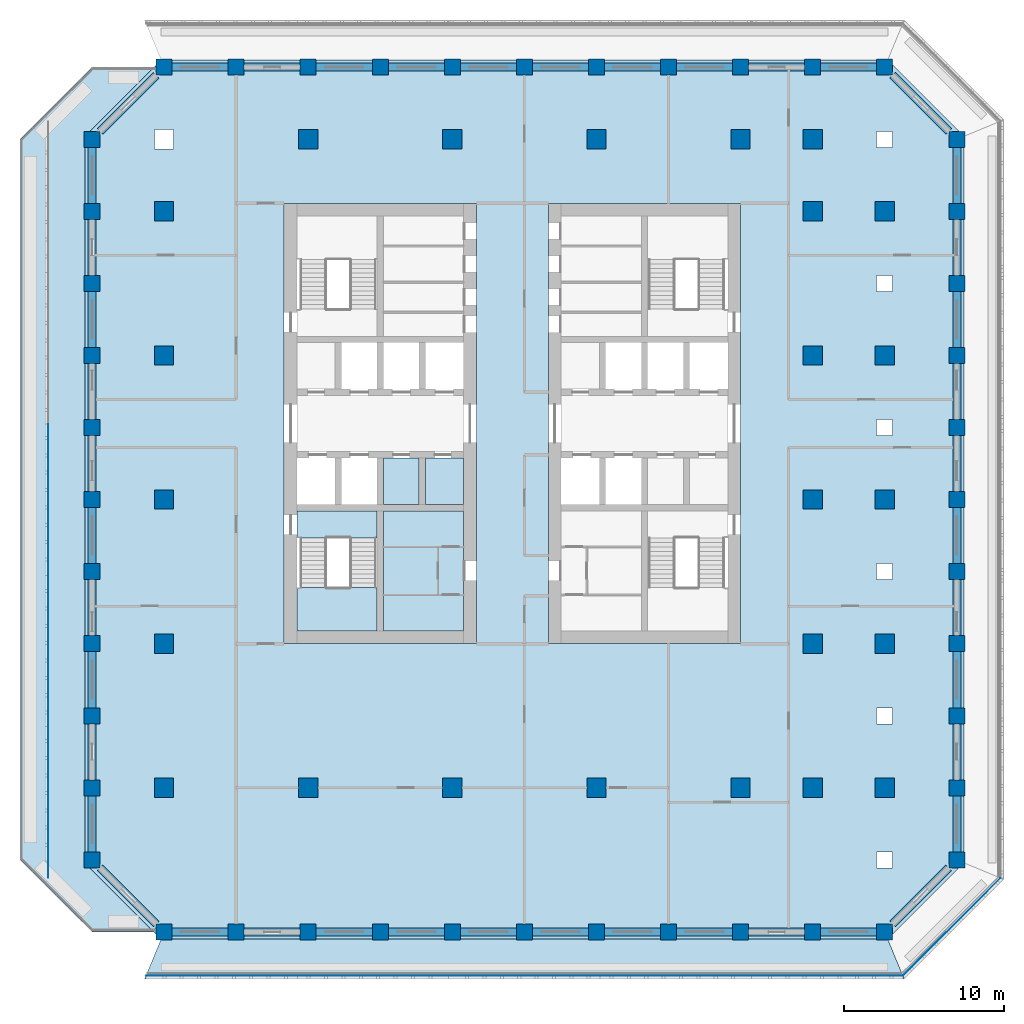
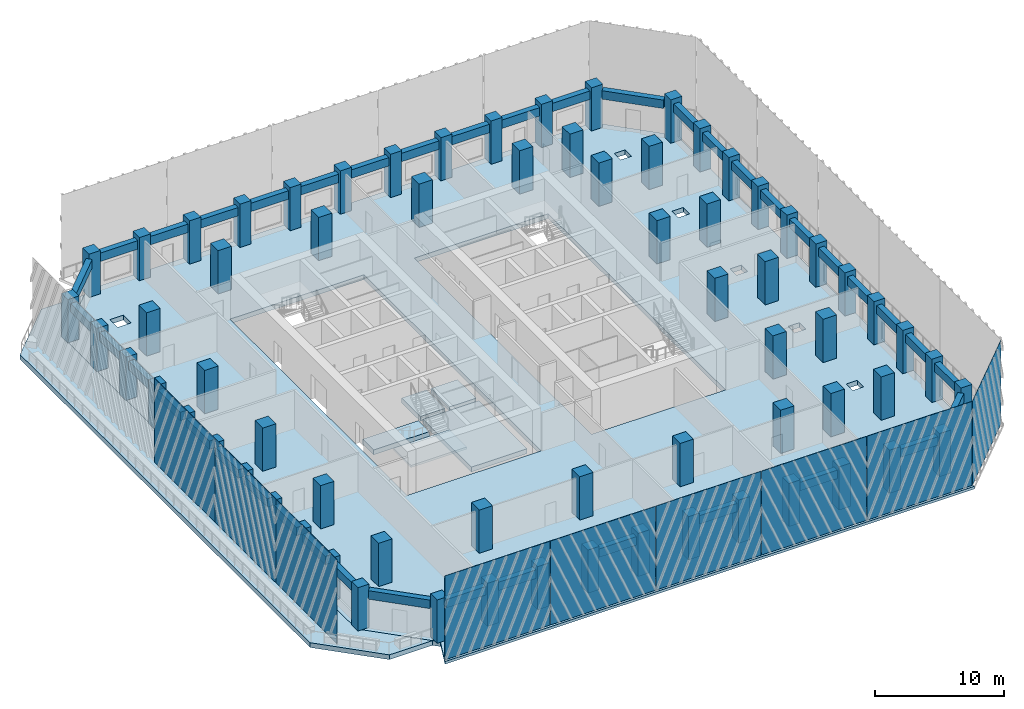
# One storey, part 1 of 16: 68 columns, 44 beams, 9 plates, 8 slabs, 1 element without a shape of its own.
"""IFC4 building model written with IfcOpenShell, lengths in metres."""

from ifc_helpers import new_model, si_unit, direction, frame, origin, origin_2d, place, context, subcontext, project, spatial, polyline, rectangle, outline, extrude, material, layer, layer_set, material_profile, profile_set, type_object, element, aggregate, save


model = new_model("IFC4")

# Units and contexts
model_context = context("Model", 3, precision=1e-05, world=origin(), true_north=direction((0.0, 1.0)))
body_context = subcontext(model_context, "Body", "Model", "MODEL_VIEW")
ifc_project = project(units=[si_unit("LENGTHUNIT", "METRE"), si_unit("AREAUNIT", "SQUARE_METRE"), si_unit("VOLUMEUNIT", "CUBIC_METRE"), si_unit("PLANEANGLEUNIT", "RADIAN"), si_unit("MASSUNIT", "GRAM", prefix="KILO")], contexts=[model_context])

# Site, building, storey
site_placement = place(None, origin())
site = spatial("IfcSite", under=ifc_project, at=site_placement, CompositionType="ELEMENT")
building_placement = place(site_placement, origin())
building = spatial("IfcBuilding", under=site, at=building_placement, Name="Corbel Stack Research Tower", CompositionType="ELEMENT")
storey_placement = place(building_placement, frame((0.0, 0.0, 191.5)))
storey = spatial("IfcBuildingStorey", under=building, at=storey_placement, Name="L43", CompositionType="ELEMENT", Elevation=191.5)

# Columns
ifc_material_1 = material(Name="Concrete C60/75", Category="concrete")
ifc_material_profile_1 = material_profile(ifc_material_1, rectangle(XDim=1.0, YDim=1.0, at=origin_2d()), Name="RC 1000 x 1000")
ifc_profile_set_1 = profile_set([ifc_material_profile_1], Name="Concrete C60/75")
column_type_1 = type_object("IfcColumnType", Name="C-1000-60", PredefinedType="COLUMN", material=ifc_profile_set_1)
for number, where, z_axis, x_axis, name in (
    (1, (-22.5, -22.5, -0.449951171875), (0.0, 0.0, 1.0), (1.0, 0.0, 0.0), "Column 3/C L43"),
    (2, (-22.5, -18.0, -0.449951171875), (0.0, 0.0, 1.0), (1.0, 0.0, 0.0), "Column 3/D L43"),
    (3, (-22.5, -13.5, -0.449951171875), (0.0, 0.0, 1.0), (1.0, 0.0, 0.0), "Column 3/E L43"),
    (4, (-22.5, -9.0, -0.449951171875), (0.0, 0.0, 1.0), (1.0, 0.0, 0.0), "Column 3/F L43"),
    (5, (-22.5, -4.5, -0.449951171875), (0.0, 0.0, 1.0), (1.0, 0.0, 0.0), "Column 3/G L43"),
    (6, (-22.5, 0.0, -0.449951171875), (0.0, 0.0, 1.0), (1.0, 0.0, 0.0), "Column 3/H L43"),
    (7, (-22.5, 4.5, -0.449951171875), (0.0, 0.0, 1.0), (1.0, 0.0, 0.0), "Column 3/J L43"),
    (8, (-22.5, 9.0, -0.449951171875), (0.0, 0.0, 1.0), (1.0, 0.0, 0.0), "Column 3/K L43"),
    (9, (-22.5, 13.5, -0.449951171875), (0.0, 0.0, 1.0), (1.0, 0.0, 0.0), "Column 3/L L43"),
    (10, (-22.5, 18.0, -0.449951171875), (0.0, 0.0, 1.0), (1.0, 0.0, 0.0), "Column 3/M L43"),
    (11, (-22.5, 22.5, -0.449951171875), (0.0, 0.0, 1.0), (1.0, 0.0, 0.0), "Column 3/N L43"),
):
    element("IfcColumn", number, at=place(storey_placement, frame(where, z_axis=z_axis, x_axis=x_axis)), inside=storey, type_object=column_type_1, Name=name, PredefinedType="COLUMN", context=body_context, shape_type="SweptSolid", body=[
        extrude(rectangle(XDim=1.0, YDim=1.0, at=origin_2d()), origin(), (0.0, 0.0, 1.0), 4.550048828125),
    ])
for number, where, z_axis, x_axis, name in (
    (12, (-18.0, -27.0, 0.0), (0.0, 0.0, 1.0), (1.0, 0.0, 0.0), "Column 4/B L43"),
    (13, (-18.0, 27.0, 0.0), (0.0, 0.0, 1.0), (1.0, 0.0, 0.0), "Column 4/P L43"),
    (14, (-13.5, -27.0, 0.0), (0.0, 0.0, 1.0), (1.0, 0.0, 0.0), "Column 5/B L43"),
    (15, (-13.5, 27.0, 0.0), (0.0, 0.0, 1.0), (1.0, 0.0, 0.0), "Column 5/P L43"),
    (16, (-9.0, -27.0, 0.0), (0.0, 0.0, 1.0), (1.0, 0.0, 0.0), "Column 6/B L43"),
    (17, (-9.0, 27.0, 0.0), (0.0, 0.0, 1.0), (1.0, 0.0, 0.0), "Column 6/P L43"),
    (18, (-4.5, -27.0, 0.0), (0.0, 0.0, 1.0), (1.0, 0.0, 0.0), "Column 7/B L43"),
    (19, (-4.5, 27.0, 0.0), (0.0, 0.0, 1.0), (1.0, 0.0, 0.0), "Column 7/P L43"),
    (20, (0.0, -27.0, 0.0), (0.0, 0.0, 1.0), (1.0, 0.0, 0.0), "Column 8/B L43"),
    (21, (0.0, 27.0, 0.0), (0.0, 0.0, 1.0), (1.0, 0.0, 0.0), "Column 8/P L43"),
    (22, (4.5, -27.0, 0.0), (0.0, 0.0, 1.0), (1.0, 0.0, 0.0), "Column 9/B L43"),
    (23, (4.5, 27.0, 0.0), (0.0, 0.0, 1.0), (1.0, 0.0, 0.0), "Column 9/P L43"),
    (24, (9.0, -27.0, 0.0), (0.0, 0.0, 1.0), (1.0, 0.0, 0.0), "Column 10/B L43"),
    (25, (9.0, 27.0, 0.0), (0.0, 0.0, 1.0), (1.0, 0.0, 0.0), "Column 10/P L43"),
    (26, (13.5, -27.0, 0.0), (0.0, 0.0, 1.0), (1.0, 0.0, 0.0), "Column 11/B L43"),
    (27, (13.5, 27.0, 0.0), (0.0, 0.0, 1.0), (1.0, 0.0, 0.0), "Column 11/P L43"),
    (28, (18.0, -27.0, 0.0), (0.0, 0.0, 1.0), (1.0, 0.0, 0.0), "Column 12/B L43"),
    (29, (18.0, 27.0, 0.0), (0.0, 0.0, 1.0), (1.0, 0.0, 0.0), "Column 12/P L43"),
    (30, (22.5, -27.0, 0.0), (0.0, 0.0, 1.0), (1.0, 0.0, 0.0), "Column 13/B L43"),
    (31, (22.5, 27.0, 0.0), (0.0, 0.0, 1.0), (1.0, 0.0, 0.0), "Column 13/P L43"),
    (32, (27.0, -27.0, 0.0), (0.0, 0.0, 1.0), (1.0, 0.0, 0.0), "Column 14/B L43"),
    (33, (27.0, 27.0, 0.0), (0.0, 0.0, 1.0), (1.0, 0.0, 0.0), "Column 14/P L43"),
):
    element("IfcColumn", number, at=place(storey_placement, frame(where, z_axis=z_axis, x_axis=x_axis)), inside=storey, type_object=column_type_1, Name=name, PredefinedType="COLUMN", context=body_context, shape_type="SweptSolid", body=[
        extrude(rectangle(XDim=1.0, YDim=1.0, at=origin_2d()), origin(), (0.0, 0.0, 1.0), 4.10009765625),
    ])
for number, where, z_axis, x_axis, name in (
    (34, (31.5, -22.5, -0.449951171875), (0.0, 0.0, 1.0), (1.0, 0.0, 0.0), "Column 15/C L43"),
    (35, (31.5, -18.0, -0.449951171875), (0.0, 0.0, 1.0), (1.0, 0.0, 0.0), "Column 15/D L43"),
    (36, (31.5, -13.5, -0.449951171875), (0.0, 0.0, 1.0), (1.0, 0.0, 0.0), "Column 15/E L43"),
    (37, (31.5, -9.0, -0.449951171875), (0.0, 0.0, 1.0), (1.0, 0.0, 0.0), "Column 15/F L43"),
    (38, (31.5, -4.5, -0.449951171875), (0.0, 0.0, 1.0), (1.0, 0.0, 0.0), "Column 15/G L43"),
    (39, (31.5, 0.0, -0.449951171875), (0.0, 0.0, 1.0), (1.0, 0.0, 0.0), "Column 15/H L43"),
    (40, (31.5, 4.5, -0.449951171875), (0.0, 0.0, 1.0), (1.0, 0.0, 0.0), "Column 15/J L43"),
    (41, (31.5, 9.0, -0.449951171875), (0.0, 0.0, 1.0), (1.0, 0.0, 0.0), "Column 15/K L43"),
    (42, (31.5, 13.5, -0.449951171875), (0.0, 0.0, 1.0), (1.0, 0.0, 0.0), "Column 15/L L43"),
    (43, (31.5, 18.0, -0.449951171875), (0.0, 0.0, 1.0), (1.0, 0.0, 0.0), "Column 15/M L43"),
    (44, (31.5, 22.5, -0.449951171875), (0.0, 0.0, 1.0), (1.0, 0.0, 0.0), "Column 15/N L43"),
):
    element("IfcColumn", number, at=place(storey_placement, frame(where, z_axis=z_axis, x_axis=x_axis)), inside=storey, type_object=column_type_1, Name=name, PredefinedType="COLUMN", context=body_context, shape_type="SweptSolid", body=[
        extrude(rectangle(XDim=1.0, YDim=1.0, at=origin_2d()), origin(), (0.0, 0.0, 1.0), 4.550048828125),
    ])
ifc_material_2 = material(Name="Concrete C60/75", Category="concrete")
ifc_material_profile_2 = material_profile(ifc_material_2, rectangle(XDim=1.199951171875, YDim=1.199951171875, at=origin_2d()), Name="RC 1200 x 1200")
ifc_profile_set_2 = profile_set([ifc_material_profile_2], Name="Concrete C60/75")
column_type_2 = type_object("IfcColumnType", Name="C-1200-60", PredefinedType="COLUMN", material=ifc_profile_set_2)
for number, where, z_axis, x_axis, name in (
    (45, (-18.0, -18.0, -0.449951171875), (0.0, 0.0, 1.0), (1.0, 0.0, 0.0), "Column 4/D L43"),
    (46, (-18.0, -9.0, -0.449951171875), (0.0, 0.0, 1.0), (1.0, 0.0, 0.0), "Column 4/F L43"),
    (47, (-18.0, 0.0, -0.449951171875), (0.0, 0.0, 1.0), (1.0, 0.0, 0.0), "Column 4/H L43"),
    (48, (-18.0, 9.0, -0.449951171875), (0.0, 0.0, 1.0), (1.0, 0.0, 0.0), "Column 4/K L43"),
    (49, (-18.0, 18.0, -0.449951171875), (0.0, 0.0, 1.0), (1.0, 0.0, 0.0), "Column 4/M L43"),
):
    element("IfcColumn", number, at=place(storey_placement, frame(where, z_axis=z_axis, x_axis=x_axis)), inside=storey, type_object=column_type_2, Name=name, PredefinedType="COLUMN", context=body_context, shape_type="SweptSolid", body=[
        extrude(rectangle(XDim=1.199951171875, YDim=1.199951171875, at=origin_2d()), origin(), (0.0, 0.0, 1.0), 4.550048828125),
    ])
for number, where, z_axis, x_axis, name in (
    (50, (-9.0, -18.0, 0.0), (0.0, 0.0, 1.0), (1.0, 0.0, 0.0), "Column 6/D L43"),
    (51, (-9.0, 22.5, 0.0), (0.0, 0.0, 1.0), (1.0, 0.0, 0.0), "Column 6/N L43"),
    (52, (0.0, -18.0, 0.0), (0.0, 0.0, 1.0), (1.0, 0.0, 0.0), "Column 8/D L43"),
    (53, (0.0, 22.5, 0.0), (0.0, 0.0, 1.0), (1.0, 0.0, 0.0), "Column 8/N L43"),
    (54, (9.0, -18.0, 0.0), (0.0, 0.0, 1.0), (1.0, 0.0, 0.0), "Column 10/D L43"),
    (55, (9.0, 22.5, 0.0), (0.0, 0.0, 1.0), (1.0, 0.0, 0.0), "Column 10/N L43"),
):
    element("IfcColumn", number, at=place(storey_placement, frame(where, z_axis=z_axis, x_axis=x_axis)), inside=storey, type_object=column_type_2, Name=name, PredefinedType="COLUMN", context=body_context, shape_type="SweptSolid", body=[
        extrude(rectangle(XDim=1.199951171875, YDim=1.199951171875, at=origin_2d()), origin(), (0.0, 0.0, 1.0), 4.10009765625),
    ])
column_1_placement = place(storey_placement, frame((18.0, -18.0, -0.449951171875), z_axis=(0.0, 0.0, 1.0), x_axis=(1.0, 0.0, 0.0)))
element("IfcColumn", 56, at=column_1_placement, inside=storey, type_object=column_type_2, Name="Column 12/D L43", PredefinedType="COLUMN", context=body_context, shape_type="SweptSolid", body=[
    extrude(rectangle(XDim=1.199951171875, YDim=1.199951171875, at=origin_2d()), origin(), (0.0, 0.0, 1.0), 4.550048828125),
])
column_2_placement = place(storey_placement, frame((18.0, 22.5, 0.0), z_axis=(0.0, 0.0, 1.0), x_axis=(1.0, 0.0, 0.0)))
element("IfcColumn", 57, at=column_2_placement, inside=storey, type_object=column_type_2, Name="Column 12/N L43", PredefinedType="COLUMN", context=body_context, shape_type="SweptSolid", body=[
    extrude(rectangle(XDim=1.199951171875, YDim=1.199951171875, at=origin_2d()), origin(), (0.0, 0.0, 1.0), 4.10009765625),
])
for number, where, z_axis, x_axis, name in (
    (58, (22.5, -18.0, -0.449951171875), (0.0, 0.0, 1.0), (1.0, 0.0, 0.0), "Column 13/D L43"),
    (59, (22.5, -9.0, -0.449951171875), (0.0, 0.0, 1.0), (1.0, 0.0, 0.0), "Column 13/F L43"),
    (60, (22.5, 0.0, -0.449951171875), (0.0, 0.0, 1.0), (1.0, 0.0, 0.0), "Column 13/H L43"),
    (61, (22.5, 9.0, -0.449951171875), (0.0, 0.0, 1.0), (1.0, 0.0, 0.0), "Column 13/K L43"),
    (62, (22.5, 18.0, -0.449951171875), (0.0, 0.0, 1.0), (1.0, 0.0, 0.0), "Column 13/M L43"),
):
    element("IfcColumn", number, at=place(storey_placement, frame(where, z_axis=z_axis, x_axis=x_axis)), inside=storey, type_object=column_type_2, Name=name, PredefinedType="COLUMN", context=body_context, shape_type="SweptSolid", body=[
        extrude(rectangle(XDim=1.199951171875, YDim=1.199951171875, at=origin_2d()), origin(), (0.0, 0.0, 1.0), 4.550048828125),
    ])
column_3_placement = place(storey_placement, frame((22.5, 22.5, 0.0), z_axis=(0.0, 0.0, 1.0), x_axis=(1.0, 0.0, 0.0)))
element("IfcColumn", 63, at=column_3_placement, inside=storey, type_object=column_type_2, Name="Column 13/N L43", PredefinedType="COLUMN", context=body_context, shape_type="SweptSolid", body=[
    extrude(rectangle(XDim=1.199951171875, YDim=1.199951171875, at=origin_2d()), origin(), (0.0, 0.0, 1.0), 4.10009765625),
])
for number, where, z_axis, x_axis, name in (
    (64, (27.0, -18.0, -0.449951171875), (0.0, 0.0, 1.0), (1.0, 0.0, 0.0), "Column 14/D L43"),
    (65, (27.0, -9.0, -0.449951171875), (0.0, 0.0, 1.0), (1.0, 0.0, 0.0), "Column 14/F L43"),
    (66, (27.0, 0.0, -0.449951171875), (0.0, 0.0, 1.0), (1.0, 0.0, 0.0), "Column 14/H L43"),
    (67, (27.0, 9.0, -0.449951171875), (0.0, 0.0, 1.0), (1.0, 0.0, 0.0), "Column 14/K L43"),
    (68, (27.0, 18.0, -0.449951171875), (0.0, 0.0, 1.0), (1.0, 0.0, 0.0), "Column 14/M L43"),
):
    element("IfcColumn", number, at=place(storey_placement, frame(where, z_axis=z_axis, x_axis=x_axis)), inside=storey, type_object=column_type_2, Name=name, PredefinedType="COLUMN", context=body_context, shape_type="SweptSolid", body=[
        extrude(rectangle(XDim=1.199951171875, YDim=1.199951171875, at=origin_2d()), origin(), (0.0, 0.0, 1.0), 4.550048828125),
    ])

# Beams
ifc_material_3 = material(Name="Concrete C60/75", Category="concrete")
ifc_material_profile_3 = material_profile(ifc_material_3, rectangle(XDim=0.5, YDim=0.800048828125, at=origin_2d()), Name="RC 500 x 800")
ifc_profile_set_3 = profile_set([ifc_material_profile_3], Name="Concrete C60/75")
beam_type = type_object("IfcBeamType", Name="SB-500-800-450", PredefinedType="SPANDREL", material=ifc_profile_set_3)
for number, where, z_axis, x_axis, name in (
    (69, (-17.5, -27.0, 3.25), (1.0, 0.0, 0.0), (0.0, 1.0, 0.0), "Spandrel beam L43-01"),
    (70, (-13.0, -27.0, 3.25), (1.0, 0.0, 0.0), (0.0, 1.0, 0.0), "Spandrel beam L43-02"),
    (71, (-8.5, -27.0, 3.25), (1.0, 0.0, 0.0), (0.0, 1.0, 0.0), "Spandrel beam L43-03"),
    (72, (-4.0, -27.0, 3.25), (1.0, 0.0, 0.0), (0.0, 1.0, 0.0), "Spandrel beam L43-04"),
    (73, (0.5, -27.0, 3.25), (1.0, 0.0, 0.0), (0.0, 1.0, 0.0), "Spandrel beam L43-05"),
    (74, (5.0, -27.0, 3.25), (1.0, 0.0, 0.0), (0.0, 1.0, 0.0), "Spandrel beam L43-06"),
    (75, (9.5, -27.0, 3.25), (1.0, 0.0, 0.0), (0.0, 1.0, 0.0), "Spandrel beam L43-07"),
    (76, (14.0, -27.0, 3.25), (1.0, 0.0, 0.0), (0.0, 1.0, 0.0), "Spandrel beam L43-08"),
    (77, (18.5, -27.0, 3.25), (1.0, 0.0, 0.0), (0.0, 1.0, 0.0), "Spandrel beam L43-09"),
    (78, (23.0, -27.0, 3.25), (1.0, 0.0, 0.0), (0.0, 1.0, 0.0), "Spandrel beam L43-10"),
):
    element("IfcBeam", number, at=place(storey_placement, frame(where, z_axis=z_axis, x_axis=x_axis)), inside=storey, type_object=beam_type, Name=name, PredefinedType="SPANDREL", context=body_context, shape_type="SweptSolid", body=[
        extrude(rectangle(XDim=0.5, YDim=0.800048828125, at=origin_2d()), origin(), (0.0, 0.0, 1.0), 3.5),
    ])
beam_1_placement = place(storey_placement, frame((27.5, -26.5, 3.25), z_axis=(0.707106781187, 0.707106781187, 0.0), x_axis=(-0.707106781187, 0.707106781187, 0.0)))
element("IfcBeam", 79, at=beam_1_placement, inside=storey, type_object=beam_type, Name="Spandrel beam L43-11", PredefinedType="SPANDREL", context=body_context, shape_type="SweptSolid", body=[
    extrude(rectangle(XDim=0.5, YDim=0.800048828125, at=origin_2d()), origin(), (0.0, 0.0, 1.0), 4.94970703125),
])
for number, where, z_axis, x_axis, name in (
    (80, (31.5, -22.0, 3.25), (0.0, 1.0, 0.0), (-1.0, 0.0, 0.0), "Spandrel beam L43-12"),
    (81, (31.5, -17.5, 3.25), (0.0, 1.0, 0.0), (-1.0, 0.0, 0.0), "Spandrel beam L43-13"),
    (82, (31.5, -13.0, 3.25), (0.0, 1.0, 0.0), (-1.0, 0.0, 0.0), "Spandrel beam L43-14"),
    (83, (31.5, -8.5, 3.25), (0.0, 1.0, 0.0), (-1.0, 0.0, 0.0), "Spandrel beam L43-15"),
    (84, (31.5, -4.0, 3.25), (0.0, 1.0, 0.0), (-1.0, 0.0, 0.0), "Spandrel beam L43-16"),
    (85, (31.5, 0.5, 3.25), (0.0, 1.0, 0.0), (-1.0, 0.0, 0.0), "Spandrel beam L43-17"),
    (86, (31.5, 5.0, 3.25), (0.0, 1.0, 0.0), (-1.0, 0.0, 0.0), "Spandrel beam L43-18"),
    (87, (31.5, 9.5, 3.25), (0.0, 1.0, 0.0), (-1.0, 0.0, 0.0), "Spandrel beam L43-19"),
    (88, (31.5, 14.0, 3.25), (0.0, 1.0, 0.0), (-1.0, 0.0, 0.0), "Spandrel beam L43-20"),
    (89, (31.5, 18.5, 3.25), (0.0, 1.0, 0.0), (-1.0, 0.0, 0.0), "Spandrel beam L43-21"),
):
    element("IfcBeam", number, at=place(storey_placement, frame(where, z_axis=z_axis, x_axis=x_axis)), inside=storey, type_object=beam_type, Name=name, PredefinedType="SPANDREL", context=body_context, shape_type="SweptSolid", body=[
        extrude(rectangle(XDim=0.5, YDim=0.800048828125, at=origin_2d()), origin(), (0.0, 0.0, 1.0), 3.5),
    ])
beam_2_placement = place(storey_placement, frame((31.0, 23.0, 3.25), z_axis=(-0.707106781187, 0.707106781187, 0.0), x_axis=(-0.707106781187, -0.707106781187, 0.0)))
element("IfcBeam", 90, at=beam_2_placement, inside=storey, type_object=beam_type, Name="Spandrel beam L43-22", PredefinedType="SPANDREL", context=body_context, shape_type="SweptSolid", body=[
    extrude(rectangle(XDim=0.5, YDim=0.800048828125, at=origin_2d()), origin(), (0.0, 0.0, 1.0), 4.94970703125),
])
for number, where, z_axis, x_axis, name in (
    (91, (26.5, 27.0, 3.25), (-1.0, 0.0, 0.0), (0.0, -1.0, 0.0), "Spandrel beam L43-23"),
    (92, (22.0, 27.0, 3.25), (-1.0, 0.0, 0.0), (0.0, -1.0, 0.0), "Spandrel beam L43-24"),
    (93, (17.5, 27.0, 3.25), (-1.0, 0.0, 0.0), (0.0, -1.0, 0.0), "Spandrel beam L43-25"),
    (94, (13.0, 27.0, 3.25), (-1.0, 0.0, 0.0), (0.0, -1.0, 0.0), "Spandrel beam L43-26"),
    (95, (8.5, 27.0, 3.25), (-1.0, 0.0, 0.0), (0.0, -1.0, 0.0), "Spandrel beam L43-27"),
    (96, (4.0, 27.0, 3.25), (-1.0, 0.0, 0.0), (0.0, -1.0, 0.0), "Spandrel beam L43-28"),
    (97, (-0.5, 27.0, 3.25), (-1.0, 0.0, 0.0), (0.0, -1.0, 0.0), "Spandrel beam L43-29"),
    (98, (-5.0, 27.0, 3.25), (-1.0, 0.0, 0.0), (0.0, -1.0, 0.0), "Spandrel beam L43-30"),
    (99, (-9.5, 27.0, 3.25), (-1.0, 0.0, 0.0), (0.0, -1.0, 0.0), "Spandrel beam L43-31"),
    (100, (-14.0, 27.0, 3.25), (-1.0, 0.0, 0.0), (0.0, -1.0, 0.0), "Spandrel beam L43-32"),
):
    element("IfcBeam", number, at=place(storey_placement, frame(where, z_axis=z_axis, x_axis=x_axis)), inside=storey, type_object=beam_type, Name=name, PredefinedType="SPANDREL", context=body_context, shape_type="SweptSolid", body=[
        extrude(rectangle(XDim=0.5, YDim=0.800048828125, at=origin_2d()), origin(), (0.0, 0.0, 1.0), 3.5),
    ])
beam_3_placement = place(storey_placement, frame((-18.5, 26.5, 3.25), z_axis=(-0.707106781187, -0.707106781187, 0.0), x_axis=(0.707106781187, -0.707106781187, 0.0)))
element("IfcBeam", 101, at=beam_3_placement, inside=storey, type_object=beam_type, Name="Spandrel beam L43-33", PredefinedType="SPANDREL", context=body_context, shape_type="SweptSolid", body=[
    extrude(rectangle(XDim=0.5, YDim=0.800048828125, at=origin_2d()), origin(), (0.0, 0.0, 1.0), 4.94970703125),
])
for number, where, z_axis, x_axis, name in (
    (102, (-22.5, 22.0, 3.25), (0.0, -1.0, 0.0), (1.0, 0.0, 0.0), "Spandrel beam L43-34"),
    (103, (-22.5, 17.5, 3.25), (0.0, -1.0, 0.0), (1.0, 0.0, 0.0), "Spandrel beam L43-35"),
    (104, (-22.5, 13.0, 3.25), (0.0, -1.0, 0.0), (1.0, 0.0, 0.0), "Spandrel beam L43-36"),
    (105, (-22.5, 8.5, 3.25), (0.0, -1.0, 0.0), (1.0, 0.0, 0.0), "Spandrel beam L43-37"),
    (106, (-22.5, 4.0, 3.25), (0.0, -1.0, 0.0), (1.0, 0.0, 0.0), "Spandrel beam L43-38"),
    (107, (-22.5, -0.5, 3.25), (0.0, -1.0, 0.0), (1.0, 0.0, 0.0), "Spandrel beam L43-39"),
    (108, (-22.5, -5.0, 3.25), (0.0, -1.0, 0.0), (1.0, 0.0, 0.0), "Spandrel beam L43-40"),
    (109, (-22.5, -9.5, 3.25), (0.0, -1.0, 0.0), (1.0, 0.0, 0.0), "Spandrel beam L43-41"),
    (110, (-22.5, -14.0, 3.25), (0.0, -1.0, 0.0), (1.0, 0.0, 0.0), "Spandrel beam L43-42"),
    (111, (-22.5, -18.5, 3.25), (0.0, -1.0, 0.0), (1.0, 0.0, 0.0), "Spandrel beam L43-43"),
):
    element("IfcBeam", number, at=place(storey_placement, frame(where, z_axis=z_axis, x_axis=x_axis)), inside=storey, type_object=beam_type, Name=name, PredefinedType="SPANDREL", context=body_context, shape_type="SweptSolid", body=[
        extrude(rectangle(XDim=0.5, YDim=0.800048828125, at=origin_2d()), origin(), (0.0, 0.0, 1.0), 3.5),
    ])
beam_4_placement = place(storey_placement, frame((-22.0, -23.0, 3.25), z_axis=(0.707106781187, -0.707106781187, 0.0), x_axis=(0.707106781187, 0.707106781187, 0.0)))
element("IfcBeam", 112, at=beam_4_placement, inside=storey, type_object=beam_type, Name="Spandrel beam L43-44", PredefinedType="SPANDREL", context=body_context, shape_type="SweptSolid", body=[
    extrude(rectangle(XDim=0.5, YDim=0.800048828125, at=origin_2d()), origin(), (0.0, 0.0, 1.0), 4.94970703125),
])

# Plates
ifc_material_4 = material(Name="Fritted glass", Category="glass")
ifc_layer_1 = layer(ifc_material_4, 0.02490234375)
ifc_layer_set_1 = layer_set([ifc_layer_1], Name="Fritted glass")
plate_type = type_object("IfcPlateType", Name="Fritted glass panel 25", PredefinedType="SHEET", material=ifc_layer_set_1)
for number, where, z_axis, x_axis, name in (
    (113, (-14.411376953125, -29.737548828125, 0.0), (0.0, 0.0, 1.0), (1.0, 0.0, 0.0), "Fritted glass L43 S1"),
    (114, (-4.95556640625, -29.737548828125, 0.0), (0.0, 0.0, 1.0), (1.0, 0.0, 0.0), "Fritted glass L43 S2"),
    (115, (4.5, -29.737548828125, 0.0), (0.0, 0.0, 1.0), (1.0, 0.0, 0.0), "Fritted glass L43 S3"),
    (116, (13.95556640625, -29.737548828125, 0.0), (0.0, 0.0, 1.0), (1.0, 0.0, 0.0), "Fritted glass L43 S4"),
    (117, (23.411376953125, -29.737548828125, 0.0), (0.0, 0.0, 1.0), (1.0, 0.0, 0.0), "Fritted glass L43 S5"),
):
    element("IfcPlate", number, at=place(storey_placement, frame(where, z_axis=z_axis, x_axis=x_axis)), inside=storey, type_object=plate_type, Name=name, PredefinedType="SHEET", context=body_context, shape_type="SweptSolid", body=[
        extrude(rectangle(XDim=9.3955078125, YDim=0.02490234375, at=origin_2d()), origin(), (0.0, 0.0, 1.0), 7.949951171875),
    ])
plate_placement = place(storey_placement, frame((31.185791015625, -26.685791015625, 0.0), z_axis=(0.0, 0.0, 1.0), x_axis=(0.707106781187, 0.707106781187, 0.0)))
element("IfcPlate", 118, at=plate_placement, inside=storey, type_object=plate_type, Name="Fritted glass L43 SE1", PredefinedType="SHEET", context=body_context, shape_type="SweptSolid", body=[
    extrude(rectangle(XDim=8.58203125, YDim=0.02490234375, at=origin_2d()), origin(), (0.0, 0.0, 1.0), 7.949951171875),
])
for number, where, z_axis, x_axis, name in (
    (119, (-25.237548828125, 0.0, 0.0), (0.0, 0.0, 1.0), (0.0, -1.0, 0.0), "Fritted glass L43 W3"),
    (120, (-25.237548828125, -9.45556640625, 0.0), (0.0, 0.0, 1.0), (0.0, -1.0, 0.0), "Fritted glass L43 W4"),
    (121, (-25.237548828125, -18.911376953125, 0.0), (0.0, 0.0, 1.0), (0.0, -1.0, 0.0), "Fritted glass L43 W5"),
):
    element("IfcPlate", number, at=place(storey_placement, frame(where, z_axis=z_axis, x_axis=x_axis)), inside=storey, type_object=plate_type, Name=name, PredefinedType="SHEET", context=body_context, shape_type="SweptSolid", body=[
        extrude(rectangle(XDim=9.3955078125, YDim=0.02490234375, at=origin_2d()), origin(), (0.0, 0.0, 1.0), 7.949951171875),
    ])

# Slabs
ifc_material_5 = material(Name="Concrete C45/55", Category="concrete")
ifc_layer_2 = layer(ifc_material_5, 0.25)
ifc_layer_set_2 = layer_set([ifc_layer_2], Name="Concrete C45/55")
slab_type_1 = type_object("IfcSlabType", Name="PT balcony slab 250 C45/55", PredefinedType="FLOOR", material=ifc_layer_set_2)
slab_1_placement = place(storey_placement, frame((0.0, 0.0, -0.25)))
element("IfcSlab", 122, at=slab_1_placement, inside=storey, type_object=slab_type_1, Name="Loggia slab L43 S", PredefinedType="FLOOR", context=body_context, shape_type="SweptSolid", body=[
    extrude(outline(polyline([(27.20703125, -27.5), (26.5, -27.5), (26.5, -27.449951171875), (23.0, -27.449951171875), (23.0, -27.5), (22.0, -27.5), (22.0, -27.449951171875), (18.5, -27.449951171875), (18.5, -27.5), (17.5, -27.5), (17.5, -27.449951171875), (14.0, -27.449951171875), (14.0, -27.5), (13.0, -27.5), (13.0, -27.449951171875), (9.5, -27.449951171875), (9.5, -27.5), (8.5, -27.5), (8.5, -27.449951171875), (5.0, -27.449951171875), (5.0, -27.5), (4.0, -27.5), (4.0, -27.449951171875), (0.5, -27.449951171875), (0.5, -27.5), (-0.5, -27.5), (-0.5, -27.449951171875), (-4.0, -27.449951171875), (-4.0, -27.5), (-5.0, -27.5), (-5.0, -27.449951171875), (-8.5, -27.449951171875), (-8.5, -27.5), (-9.5, -27.5), (-9.5, -27.449951171875), (-13.0, -27.449951171875), (-13.0, -27.5), (-14.0, -27.5), (-14.0, -27.449951171875), (-17.5, -27.449951171875), (-17.5, -27.5), (-18.20703125, -27.5), (-19.221923828125, -29.949951171875), (28.221923828125, -29.949951171875), (27.20703125, -27.5)])), origin(), (0.0, 0.0, 1.0), 0.25),
])
ifc_material_6 = material(Name="Concrete C45/55", Category="concrete")
ifc_layer_3 = layer(ifc_material_6, 0.449951171875)
ifc_layer_set_3 = layer_set([ifc_layer_3], Name="Concrete C45/55")
slab_type_2 = type_object("IfcSlabType", Name="PT-450", PredefinedType="FLOOR", material=ifc_layer_set_3)
slab_2_placement = place(storey_placement, frame((0.0, 0.0, -0.449951171875)))
element("IfcSlab", 123, at=slab_2_placement, inside=storey, type_object=slab_type_2, Name="Floor slab L43", PredefinedType="FLOOR", context=body_context, shape_type="SweptSolid", body=[
    extrude(outline(polyline([(-18.186279296875, -27.449951171875), (27.186279296875, -27.449951171875), (31.949951171875, -22.686279296875), (31.949951171875, 22.686279296875), (27.186279296875, 27.449951171875), (-18.186279296875, 27.449951171875), (-22.949951171875, 22.686279296875), (-22.949951171875, -22.686279296875), (-18.186279296875, -27.449951171875)]), holes=[polyline([(26.5, 22.0), (26.5, 23.0), (27.5, 23.0), (27.5, 22.0), (26.5, 22.0)]), polyline([(26.5, -23.0), (26.5, -22.0), (27.5, -22.0), (27.5, -23.0), (26.5, -23.0)]), polyline([(26.5, -18.5), (26.5, -17.5), (27.5, -17.5), (27.5, -18.5), (26.5, -18.5)]), polyline([(26.5, -14.0), (26.5, -13.0), (27.5, -13.0), (27.5, -14.0), (26.5, -14.0)]), polyline([(26.5, -9.5), (26.5, -8.5), (27.5, -8.5), (27.5, -9.5), (26.5, -9.5)]), polyline([(26.5, -5.0), (26.5, -4.0), (27.5, -4.0), (27.5, -5.0), (26.5, -5.0)]), polyline([(26.5, -0.5), (26.5, 0.5), (27.5, 0.5), (27.5, -0.5), (26.5, -0.5)]), polyline([(26.5, 4.0), (26.5, 5.0), (27.5, 5.0), (27.5, 4.0), (26.5, 4.0)]), polyline([(26.5, 8.5), (26.5, 9.5), (27.5, 9.5), (27.5, 8.5), (26.5, 8.5)]), polyline([(26.5, 13.0), (26.5, 14.0), (27.5, 14.0), (27.5, 13.0), (26.5, 13.0)]), polyline([(26.5, 17.5), (26.5, 18.5), (27.5, 18.5), (27.5, 17.5), (26.5, 17.5)]), polyline([(21.89990234375, 17.39990234375), (21.89990234375, 18.60009765625), (23.10009765625, 18.60009765625), (23.10009765625, 17.39990234375), (21.89990234375, 17.39990234375)]), polyline([(21.89990234375, 8.39990234375), (21.89990234375, 9.60009765625), (23.10009765625, 9.60009765625), (23.10009765625, 8.39990234375), (21.89990234375, 8.39990234375)]), polyline([(21.89990234375, -0.60009765625), (21.89990234375, 0.60009765625), (23.10009765625, 0.60009765625), (23.10009765625, -0.60009765625), (21.89990234375, -0.60009765625)]), polyline([(21.89990234375, -9.60009765625), (21.89990234375, -8.39990234375), (23.10009765625, -8.39990234375), (23.10009765625, -9.60009765625), (21.89990234375, -9.60009765625)]), polyline([(21.89990234375, -18.60009765625), (21.89990234375, -17.39990234375), (23.10009765625, -17.39990234375), (23.10009765625, -18.60009765625), (21.89990234375, -18.60009765625)]), polyline([(17.39990234375, 21.89990234375), (17.39990234375, 23.10009765625), (18.60009765625, 23.10009765625), (18.60009765625, 21.89990234375), (17.39990234375, 21.89990234375)]), polyline([(17.39990234375, -18.60009765625), (17.39990234375, -17.39990234375), (18.60009765625, -17.39990234375), (18.60009765625, -18.60009765625), (17.39990234375, -18.60009765625)]), polyline([(6.0, -9.0), (6.0, 18.5), (18.0, 18.5), (18.0, -9.0), (6.0, -9.0)]), polyline([(8.39990234375, 21.89990234375), (8.39990234375, 23.10009765625), (9.60009765625, 23.10009765625), (9.60009765625, 21.89990234375), (8.39990234375, 21.89990234375)]), polyline([(8.39990234375, -18.60009765625), (8.39990234375, -17.39990234375), (9.60009765625, -17.39990234375), (9.60009765625, -18.60009765625), (8.39990234375, -18.60009765625)]), polyline([(-10.5, -9.0), (-10.5, 18.5), (1.5, 18.5), (1.5, -9.0), (-10.5, -9.0)]), polyline([(-0.60009765625, 21.89990234375), (-0.60009765625, 23.10009765625), (0.60009765625, 23.10009765625), (0.60009765625, 21.89990234375), (-0.60009765625, 21.89990234375)]), polyline([(-0.60009765625, -18.60009765625), (-0.60009765625, -17.39990234375), (0.60009765625, -17.39990234375), (0.60009765625, -18.60009765625), (-0.60009765625, -18.60009765625)]), polyline([(-9.60009765625, 21.89990234375), (-9.60009765625, 23.10009765625), (-8.39990234375, 23.10009765625), (-8.39990234375, 21.89990234375), (-9.60009765625, 21.89990234375)]), polyline([(-9.60009765625, -18.60009765625), (-9.60009765625, -17.39990234375), (-8.39990234375, -17.39990234375), (-8.39990234375, -18.60009765625), (-9.60009765625, -18.60009765625)]), polyline([(-18.60009765625, 21.89990234375), (-18.60009765625, 23.10009765625), (-17.39990234375, 23.10009765625), (-17.39990234375, 21.89990234375), (-18.60009765625, 21.89990234375)]), polyline([(-18.60009765625, 17.39990234375), (-18.60009765625, 18.60009765625), (-17.39990234375, 18.60009765625), (-17.39990234375, 17.39990234375), (-18.60009765625, 17.39990234375)]), polyline([(-18.60009765625, 8.39990234375), (-18.60009765625, 9.60009765625), (-17.39990234375, 9.60009765625), (-17.39990234375, 8.39990234375), (-18.60009765625, 8.39990234375)]), polyline([(-18.60009765625, -0.60009765625), (-18.60009765625, 0.60009765625), (-17.39990234375, 0.60009765625), (-17.39990234375, -0.60009765625), (-18.60009765625, -0.60009765625)]), polyline([(-18.60009765625, -9.60009765625), (-18.60009765625, -8.39990234375), (-17.39990234375, -8.39990234375), (-17.39990234375, -9.60009765625), (-18.60009765625, -9.60009765625)]), polyline([(-18.60009765625, -18.60009765625), (-18.60009765625, -17.39990234375), (-17.39990234375, -17.39990234375), (-17.39990234375, -18.60009765625), (-18.60009765625, -18.60009765625)])]), origin(), (0.0, 0.0, 1.0), 0.449951171875),
])
slab_3_placement = place(storey_placement, frame((0.0, 0.0, -0.449951171875)))
element("IfcSlab", 124, at=slab_3_placement, inside=storey, type_object=slab_type_2, Name="West core floor L43", PredefinedType="FLOOR", context=body_context, shape_type="SweptSolid", body=[
    extrude(outline(polyline([(-4.300048828125, -0.699951171875), (-4.300048828125, -8.199951171875), (0.699951171875, -8.199951171875), (0.699951171875, -0.699951171875), (-4.300048828125, -0.699951171875)])), origin(), (0.0, 0.0, 1.0), 0.449951171875),
])
slab_4_placement = place(storey_placement, frame((0.0, 0.0, -0.449951171875)))
element("IfcSlab", 125, at=slab_4_placement, inside=storey, type_object=slab_type_2, Name="West core floor L43", PredefinedType="FLOOR", context=body_context, shape_type="SweptSolid", body=[
    extrude(outline(polyline([(-2.074951171875, -0.300048828125), (-2.074951171875, 2.60009765625), (-4.300048828125, 2.60009765625), (-4.300048828125, -0.300048828125), (-2.074951171875, -0.300048828125)])), origin(), (0.0, 0.0, 1.0), 0.449951171875),
])
slab_5_placement = place(storey_placement, frame((0.0, 0.0, -0.449951171875)))
element("IfcSlab", 126, at=slab_5_placement, inside=storey, type_object=slab_type_2, Name="West core floor L43", PredefinedType="FLOOR", context=body_context, shape_type="SweptSolid", body=[
    extrude(outline(polyline([(0.699951171875, -0.300048828125), (0.699951171875, 2.60009765625), (-1.675048828125, 2.60009765625), (-1.675048828125, -0.300048828125), (0.699951171875, -0.300048828125)])), origin(), (0.0, 0.0, 1.0), 0.449951171875),
])
slab_6_placement = place(storey_placement, frame((0.0, 0.0, -0.449951171875)))
element("IfcSlab", 127, at=slab_6_placement, inside=storey, type_object=slab_type_2, Name="Stair floor landing ST-W1", PredefinedType="FLOOR", context=body_context, shape_type="SweptSolid", body=[
    extrude(outline(polyline([(-9.699951171875, -2.39990234375), (-4.699951171875, -2.39990234375), (-4.699951171875, -0.699951171875), (-9.699951171875, -0.699951171875), (-9.699951171875, -2.39990234375)])), origin(), (0.0, 0.0, 1.0), 0.449951171875),
])

# Stair, slab
ifc_material_7 = material(Name="Concrete C40/50", Category="concrete")
stair_type = type_object("IfcStairType", Name="Exit stair 24 risers", PredefinedType="HALF_TURN_STAIR", material=ifc_material_7)
stair_placement = place(storey_placement, origin())
stair = element("IfcStair", 128, at=stair_placement, inside=storey, type_object=stair_type, Name="L43 Exit stair ST-W1", PredefinedType="HALF_TURN_STAIR")
ifc_material_8 = material(Name="Concrete C40/50", Category="concrete")
ifc_layer_4 = layer(ifc_material_8, 0.199951171875)
ifc_layer_set_4 = layer_set([ifc_layer_4], Name="Concrete C40/50")
slab_type_3 = type_object("IfcSlabType", Name="Stair landing 200 C40/50", PredefinedType="LANDING", material=ifc_layer_set_4)
slab_7_placement = place(storey_placement, frame((0.0, 0.0, 1.85009765625)))
slab_7 = element("IfcSlab", 129, at=slab_7_placement, type_object=slab_type_3, Name="ST-W1 landing 1", PredefinedType="LANDING", context=body_context, shape_type="SweptSolid", body=[
    extrude(outline(polyline([(-9.699951171875, -8.199951171875), (-9.699951171875, -5.47998046875), (-4.699951171875, -5.47998046875), (-4.699951171875, -8.199951171875), (-9.699951171875, -8.199951171875)])), origin(), (0.0, 0.0, 1.0), 0.199951171875),
])
aggregate(stair, [slab_7])

# Slab
ifc_material_9 = material(Name="Concrete C45/55", Category="concrete")
ifc_layer_5 = layer(ifc_material_9, 0.449951171875)
ifc_layer_set_5 = layer_set([ifc_layer_5], Name="Concrete C45/55")
slab_type_4 = type_object("IfcSlabType", Name="TS-450", PredefinedType="ROOF", material=ifc_layer_set_5)
slab_8_placement = place(storey_placement, frame((0.0, 0.0, -0.449951171875)))
element("IfcSlab", 130, at=slab_8_placement, inside=storey, type_object=slab_type_4, Name="Terrace slab L43", PredefinedType="ROOF", context=body_context, shape_type="SweptSolid", body=[
    extrude(outline(polyline([(-18.636474609375, -27.0), (-22.949951171875, -22.686279296875), (-22.949951171875, 22.686279296875), (-18.636474609375, 27.0), (-22.5, 27.0), (-27.0, 22.5), (-27.0, -22.5), (-22.5, -27.0), (-18.636474609375, -27.0)])), origin(), (0.0, 0.0, 1.0), 0.449951171875),
])

save(model, "model.ifc")
